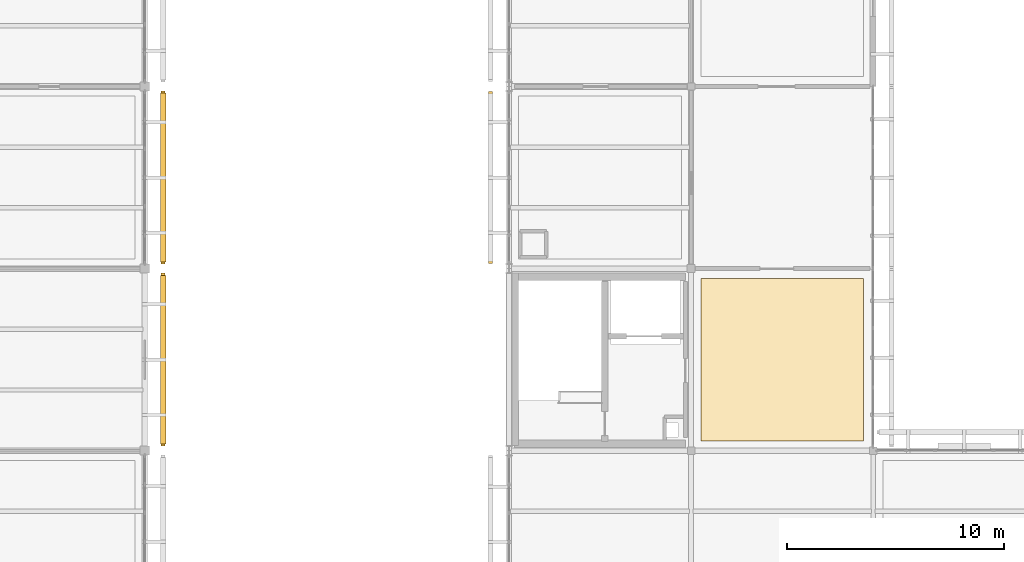
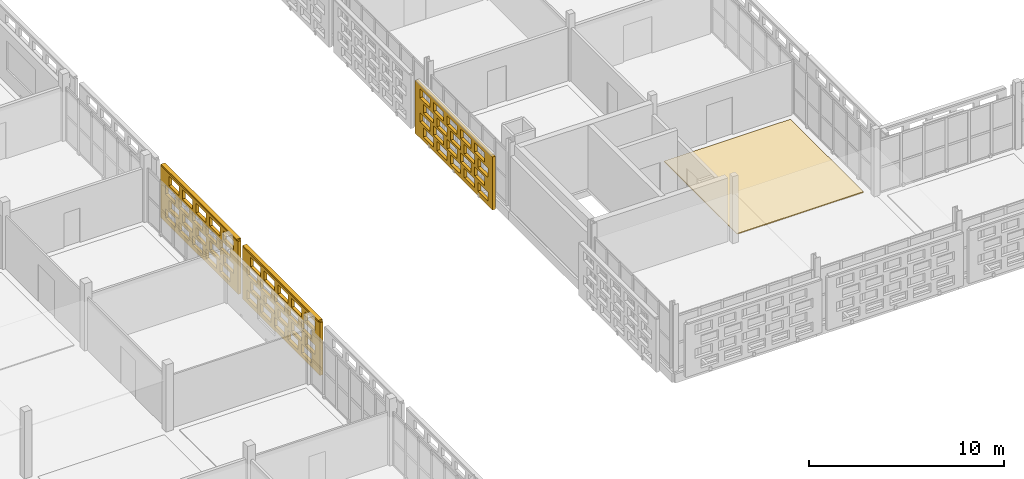
# One storey, part 115 of 140: 4 coverings, 2 shading devices, 60 openings.
"""IFC4 building model written with IfcOpenShell, lengths in metres."""

from ifc_helpers import new_model, si_unit, direction, frame, frame_2d, origin, origin_2d, place, context, subcontext, project, spatial, rectangle, extrude, material, layer, layer_set, type_object, element, save


model = new_model("IFC4")

# Units and contexts
model_context = context("Model", 3, precision=1e-05, world=origin(), true_north=direction((0.0, 1.0)))
body_context = subcontext(model_context, "Body", "Model", "MODEL_VIEW")
ifc_project = project(units=[si_unit("LENGTHUNIT", "METRE"), si_unit("AREAUNIT", "SQUARE_METRE"), si_unit("VOLUMEUNIT", "CUBIC_METRE"), si_unit("PLANEANGLEUNIT", "RADIAN"), si_unit("MASSUNIT", "GRAM", prefix="KILO")], contexts=[model_context])

# Site, building, storey
site_placement = place(None, origin())
site = spatial("IfcSite", under=ifc_project, at=site_placement, CompositionType="ELEMENT")
building_placement = place(site_placement, origin())
building = spatial("IfcBuilding", under=site, at=building_placement, Name="Varnapada Polytechnic", CompositionType="ELEMENT")
storey_placement = place(building_placement, frame((0.0, 0.0, 13.800048828125)))
storey = spatial("IfcBuildingStorey", under=building, at=storey_placement, Name="L03", CompositionType="ELEMENT", Elevation=13.800048828125)

# Covering
ifc_material_1 = material(Name="End-Grain Timber Studio Block Flooring", Category="wood")
ifc_layer_1 = layer(ifc_material_1, 0.054931640625)
ifc_layer_set_1 = layer_set([ifc_layer_1], Name="End-Grain Timber Studio Block Flooring")
covering_type_1 = type_object("IfcCoveringType", Name="Floor Finish FLR-04", PredefinedType="FLOORING", material=ifc_layer_set_1)
covering_1_placement = place(storey_placement, frame((63.0, 96.60009765625, 0.0), z_axis=(0.0, 0.0, 1.0), x_axis=(1.0, 0.0, 0.0)))
element("IfcCovering", 1, at=covering_1_placement, inside=storey, type_object=covering_type_1, Name="L03 floor finish panel (8,12)", PredefinedType="FLOORING", context=body_context, shape_type="SweptSolid", body=[
    extrude(rectangle(XDim=7.5, YDim=7.5, at=origin_2d()), origin(), (0.0, 0.0, 1.0), 0.054931640625),
])

# Covering, openings
ifc_material_2 = material(Name="Earth-toned architectural terracotta screen block", Category="masonry")
ifc_layer_2 = layer(ifc_material_2, 0.1201171875)
ifc_layer_set_2 = layer_set([ifc_layer_2], Name="Earth-toned architectural terracotta screen block")
covering_type_2 = type_object("IfcCoveringType", Name="Terracotta Screen Cladding CLD-01", PredefinedType="CLADDING", material=ifc_layer_set_2)
covering_2_placement = place(storey_placement, frame((34.449951171875, 100.590087890625, 0.0), z_axis=(0.0, 0.0, 1.0), x_axis=(0.0, -1.0, 0.0)))
covering_2 = element("IfcCovering", 2, at=covering_2_placement, inside=storey, type_object=covering_type_2, Name="L03 perforated terracotta block screen (28)", PredefinedType="CLADDING", context=body_context, shape_type="SweptSolid", body=[
    extrude(rectangle(XDim=7.97998046875, YDim=0.179931640625, at=frame_2d((3.989990234375, 0.0))), origin(), (0.0, 0.0, 1.0), 3.320068359375),
])
opening_1_placement = place(covering_2_placement, frame((0.489990234375, 0.0, 0.265625)))
element("IfcOpeningElement", 3, at=opening_1_placement, cuts=covering_2, Name="Screen perforation TBS-L03-027.1", PredefinedType="OPENING", context=body_context, shape_type="SweptSolid", body=[
    extrude(rectangle(XDim=1.0400390625, YDim=0.5810546875, at=frame_2d((0.52001953125, 0.29052734375))), frame((0.0, 0.099853515625, 0.0), z_axis=(0.0, -1.0, 0.0), x_axis=(1.0, 0.0, 0.0)), (0.0, 0.0, 1.0), 0.199951171875),
])
opening_2_placement = place(covering_2_placement, frame((1.889892578125, 0.0, 0.265625)))
element("IfcOpeningElement", 4, at=opening_2_placement, cuts=covering_2, Name="Screen perforation TBS-L03-027.2", PredefinedType="OPENING", context=body_context, shape_type="SweptSolid", body=[
    extrude(rectangle(XDim=1.0400390625, YDim=0.5810546875, at=frame_2d((0.52001953125, 0.29052734375))), frame((0.0, 0.099853515625, 0.0), z_axis=(0.0, -1.0, 0.0), x_axis=(1.0, 0.0, 0.0)), (0.0, 0.0, 1.0), 0.199951171875),
])
opening_3_placement = place(covering_2_placement, frame((3.2900390625, 0.0, 0.265625)))
element("IfcOpeningElement", 5, at=opening_3_placement, cuts=covering_2, Name="Screen perforation TBS-L03-027.3", PredefinedType="OPENING", context=body_context, shape_type="SweptSolid", body=[
    extrude(rectangle(XDim=1.0400390625, YDim=0.5810546875, at=frame_2d((0.52001953125, 0.29052734375))), frame((0.0, 0.099853515625, 0.0), z_axis=(0.0, -1.0, 0.0), x_axis=(1.0, 0.0, 0.0)), (0.0, 0.0, 1.0), 0.199951171875),
])
opening_4_placement = place(covering_2_placement, frame((4.68994140625, 0.0, 0.265625)))
element("IfcOpeningElement", 6, at=opening_4_placement, cuts=covering_2, Name="Screen perforation TBS-L03-027.4", PredefinedType="OPENING", context=body_context, shape_type="SweptSolid", body=[
    extrude(rectangle(XDim=1.0400390625, YDim=0.5810546875, at=frame_2d((0.52001953125, 0.29052734375))), frame((0.0, 0.099853515625, 0.0), z_axis=(0.0, -1.0, 0.0), x_axis=(1.0, 0.0, 0.0)), (0.0, 0.0, 1.0), 0.199951171875),
])
opening_5_placement = place(covering_2_placement, frame((6.090087890625, 0.0, 0.265625)))
element("IfcOpeningElement", 7, at=opening_5_placement, cuts=covering_2, Name="Screen perforation TBS-L03-027.5", PredefinedType="OPENING", context=body_context, shape_type="SweptSolid", body=[
    extrude(rectangle(XDim=1.0400390625, YDim=0.5810546875, at=frame_2d((0.52001953125, 0.29052734375))), frame((0.0, 0.099853515625, 0.0), z_axis=(0.0, -1.0, 0.0), x_axis=(1.0, 0.0, 0.0)), (0.0, 0.0, 1.0), 0.199951171875),
])
opening_6_placement = place(covering_2_placement, frame((0.85009765625, 0.0, 1.0126953125)))
element("IfcOpeningElement", 8, at=opening_6_placement, cuts=covering_2, Name="Screen perforation TBS-L03-027.6", PredefinedType="OPENING", context=body_context, shape_type="SweptSolid", body=[
    extrude(rectangle(XDim=1.0400390625, YDim=0.5810546875, at=frame_2d((0.52001953125, 0.29052734375))), frame((0.0, 0.099853515625, 0.0), z_axis=(0.0, -1.0, 0.0), x_axis=(1.0, 0.0, 0.0)), (0.0, 0.0, 1.0), 0.199951171875),
])
opening_7_placement = place(covering_2_placement, frame((2.25, 0.0, 1.0126953125)))
element("IfcOpeningElement", 9, at=opening_7_placement, cuts=covering_2, Name="Screen perforation TBS-L03-027.7", PredefinedType="OPENING", context=body_context, shape_type="SweptSolid", body=[
    extrude(rectangle(XDim=1.0400390625, YDim=0.5810546875, at=frame_2d((0.52001953125, 0.29052734375))), frame((0.0, 0.099853515625, 0.0), z_axis=(0.0, -1.0, 0.0), x_axis=(1.0, 0.0, 0.0)), (0.0, 0.0, 1.0), 0.199951171875),
])
opening_8_placement = place(covering_2_placement, frame((3.64990234375, 0.0, 1.0126953125)))
element("IfcOpeningElement", 10, at=opening_8_placement, cuts=covering_2, Name="Screen perforation TBS-L03-027.8", PredefinedType="OPENING", context=body_context, shape_type="SweptSolid", body=[
    extrude(rectangle(XDim=1.0400390625, YDim=0.5810546875, at=frame_2d((0.52001953125, 0.29052734375))), frame((0.0, 0.099853515625, 0.0), z_axis=(0.0, -1.0, 0.0), x_axis=(1.0, 0.0, 0.0)), (0.0, 0.0, 1.0), 0.199951171875),
])
opening_9_placement = place(covering_2_placement, frame((5.050048828125, 0.0, 1.0126953125)))
element("IfcOpeningElement", 11, at=opening_9_placement, cuts=covering_2, Name="Screen perforation TBS-L03-027.9", PredefinedType="OPENING", context=body_context, shape_type="SweptSolid", body=[
    extrude(rectangle(XDim=1.0400390625, YDim=0.5810546875, at=frame_2d((0.52001953125, 0.29052734375))), frame((0.0, 0.099853515625, 0.0), z_axis=(0.0, -1.0, 0.0), x_axis=(1.0, 0.0, 0.0)), (0.0, 0.0, 1.0), 0.199951171875),
])
opening_10_placement = place(covering_2_placement, frame((6.449951171875, 0.0, 1.0126953125)))
element("IfcOpeningElement", 12, at=opening_10_placement, cuts=covering_2, Name="Screen perforation TBS-L03-027.10", PredefinedType="OPENING", context=body_context, shape_type="SweptSolid", body=[
    extrude(rectangle(XDim=1.0400390625, YDim=0.5810546875, at=frame_2d((0.52001953125, 0.29052734375))), frame((0.0, 0.099853515625, 0.0), z_axis=(0.0, -1.0, 0.0), x_axis=(1.0, 0.0, 0.0)), (0.0, 0.0, 1.0), 0.199951171875),
])
opening_11_placement = place(covering_2_placement, frame((0.489990234375, 0.0, 1.759521484375)))
element("IfcOpeningElement", 13, at=opening_11_placement, cuts=covering_2, Name="Screen perforation TBS-L03-027.11", PredefinedType="OPENING", context=body_context, shape_type="SweptSolid", body=[
    extrude(rectangle(XDim=1.0400390625, YDim=0.5810546875, at=frame_2d((0.52001953125, 0.29052734375))), frame((0.0, 0.099853515625, 0.0), z_axis=(0.0, -1.0, 0.0), x_axis=(1.0, 0.0, 0.0)), (0.0, 0.0, 1.0), 0.199951171875),
])
opening_12_placement = place(covering_2_placement, frame((1.889892578125, 0.0, 1.759521484375)))
element("IfcOpeningElement", 14, at=opening_12_placement, cuts=covering_2, Name="Screen perforation TBS-L03-027.12", PredefinedType="OPENING", context=body_context, shape_type="SweptSolid", body=[
    extrude(rectangle(XDim=1.0400390625, YDim=0.5810546875, at=frame_2d((0.52001953125, 0.29052734375))), frame((0.0, 0.099853515625, 0.0), z_axis=(0.0, -1.0, 0.0), x_axis=(1.0, 0.0, 0.0)), (0.0, 0.0, 1.0), 0.199951171875),
])
opening_13_placement = place(covering_2_placement, frame((3.2900390625, 0.0, 1.759521484375)))
element("IfcOpeningElement", 15, at=opening_13_placement, cuts=covering_2, Name="Screen perforation TBS-L03-027.13", PredefinedType="OPENING", context=body_context, shape_type="SweptSolid", body=[
    extrude(rectangle(XDim=1.0400390625, YDim=0.5810546875, at=frame_2d((0.52001953125, 0.29052734375))), frame((0.0, 0.099853515625, 0.0), z_axis=(0.0, -1.0, 0.0), x_axis=(1.0, 0.0, 0.0)), (0.0, 0.0, 1.0), 0.199951171875),
])
opening_14_placement = place(covering_2_placement, frame((4.68994140625, 0.0, 1.759521484375)))
element("IfcOpeningElement", 16, at=opening_14_placement, cuts=covering_2, Name="Screen perforation TBS-L03-027.14", PredefinedType="OPENING", context=body_context, shape_type="SweptSolid", body=[
    extrude(rectangle(XDim=1.0400390625, YDim=0.5810546875, at=frame_2d((0.52001953125, 0.29052734375))), frame((0.0, 0.099853515625, 0.0), z_axis=(0.0, -1.0, 0.0), x_axis=(1.0, 0.0, 0.0)), (0.0, 0.0, 1.0), 0.199951171875),
])
opening_15_placement = place(covering_2_placement, frame((6.090087890625, 0.0, 1.759521484375)))
element("IfcOpeningElement", 17, at=opening_15_placement, cuts=covering_2, Name="Screen perforation TBS-L03-027.15", PredefinedType="OPENING", context=body_context, shape_type="SweptSolid", body=[
    extrude(rectangle(XDim=1.0400390625, YDim=0.5810546875, at=frame_2d((0.52001953125, 0.29052734375))), frame((0.0, 0.099853515625, 0.0), z_axis=(0.0, -1.0, 0.0), x_axis=(1.0, 0.0, 0.0)), (0.0, 0.0, 1.0), 0.199951171875),
])
opening_16_placement = place(covering_2_placement, frame((0.85009765625, 0.0, 2.506591796875)))
element("IfcOpeningElement", 18, at=opening_16_placement, cuts=covering_2, Name="Screen perforation TBS-L03-027.16", PredefinedType="OPENING", context=body_context, shape_type="SweptSolid", body=[
    extrude(rectangle(XDim=1.0400390625, YDim=0.5810546875, at=frame_2d((0.52001953125, 0.29052734375))), frame((0.0, 0.099853515625, 0.0), z_axis=(0.0, -1.0, 0.0), x_axis=(1.0, 0.0, 0.0)), (0.0, 0.0, 1.0), 0.199951171875),
])
opening_17_placement = place(covering_2_placement, frame((2.25, 0.0, 2.506591796875)))
element("IfcOpeningElement", 19, at=opening_17_placement, cuts=covering_2, Name="Screen perforation TBS-L03-027.17", PredefinedType="OPENING", context=body_context, shape_type="SweptSolid", body=[
    extrude(rectangle(XDim=1.0400390625, YDim=0.5810546875, at=frame_2d((0.52001953125, 0.29052734375))), frame((0.0, 0.099853515625, 0.0), z_axis=(0.0, -1.0, 0.0), x_axis=(1.0, 0.0, 0.0)), (0.0, 0.0, 1.0), 0.199951171875),
])
opening_18_placement = place(covering_2_placement, frame((3.64990234375, 0.0, 2.506591796875)))
element("IfcOpeningElement", 20, at=opening_18_placement, cuts=covering_2, Name="Screen perforation TBS-L03-027.18", PredefinedType="OPENING", context=body_context, shape_type="SweptSolid", body=[
    extrude(rectangle(XDim=1.0400390625, YDim=0.5810546875, at=frame_2d((0.52001953125, 0.29052734375))), frame((0.0, 0.099853515625, 0.0), z_axis=(0.0, -1.0, 0.0), x_axis=(1.0, 0.0, 0.0)), (0.0, 0.0, 1.0), 0.199951171875),
])
opening_19_placement = place(covering_2_placement, frame((5.050048828125, 0.0, 2.506591796875)))
element("IfcOpeningElement", 21, at=opening_19_placement, cuts=covering_2, Name="Screen perforation TBS-L03-027.19", PredefinedType="OPENING", context=body_context, shape_type="SweptSolid", body=[
    extrude(rectangle(XDim=1.0400390625, YDim=0.5810546875, at=frame_2d((0.52001953125, 0.29052734375))), frame((0.0, 0.099853515625, 0.0), z_axis=(0.0, -1.0, 0.0), x_axis=(1.0, 0.0, 0.0)), (0.0, 0.0, 1.0), 0.199951171875),
])
opening_20_placement = place(covering_2_placement, frame((6.449951171875, 0.0, 2.506591796875)))
element("IfcOpeningElement", 22, at=opening_20_placement, cuts=covering_2, Name="Screen perforation TBS-L03-027.20", PredefinedType="OPENING", context=body_context, shape_type="SweptSolid", body=[
    extrude(rectangle(XDim=1.0400390625, YDim=0.5810546875, at=frame_2d((0.52001953125, 0.29052734375))), frame((0.0, 0.099853515625, 0.0), z_axis=(0.0, -1.0, 0.0), x_axis=(1.0, 0.0, 0.0)), (0.0, 0.0, 1.0), 0.199951171875),
])

covering_3_placement = place(storey_placement, frame((34.449951171875, 108.989990234375, 0.0), z_axis=(0.0, 0.0, 1.0), x_axis=(0.0, -1.0, 0.0)))
covering_3 = element("IfcCovering", 23, at=covering_3_placement, inside=storey, type_object=covering_type_2, Name="L03 perforated terracotta block screen (29)", PredefinedType="CLADDING", context=body_context, shape_type="SweptSolid", body=[
    extrude(rectangle(XDim=7.97998046875, YDim=0.179931640625, at=frame_2d((3.989990234375, 0.0))), origin(), (0.0, 0.0, 1.0), 3.320068359375),
])
opening_21_placement = place(covering_3_placement, frame((0.489990234375, 0.0, 0.265625)))
element("IfcOpeningElement", 24, at=opening_21_placement, cuts=covering_3, Name="Screen perforation TBS-L03-028.1", PredefinedType="OPENING", context=body_context, shape_type="SweptSolid", body=[
    extrude(rectangle(XDim=1.0400390625, YDim=0.5810546875, at=frame_2d((0.52001953125, 0.29052734375))), frame((0.0, 0.099853515625, 0.0), z_axis=(0.0, -1.0, 0.0), x_axis=(1.0, 0.0, 0.0)), (0.0, 0.0, 1.0), 0.199951171875),
])
opening_22_placement = place(covering_3_placement, frame((1.889892578125, 0.0, 0.265625)))
element("IfcOpeningElement", 25, at=opening_22_placement, cuts=covering_3, Name="Screen perforation TBS-L03-028.2", PredefinedType="OPENING", context=body_context, shape_type="SweptSolid", body=[
    extrude(rectangle(XDim=1.0400390625, YDim=0.5810546875, at=frame_2d((0.52001953125, 0.29052734375))), frame((0.0, 0.099853515625, 0.0), z_axis=(0.0, -1.0, 0.0), x_axis=(1.0, 0.0, 0.0)), (0.0, 0.0, 1.0), 0.199951171875),
])
opening_23_placement = place(covering_3_placement, frame((3.2900390625, 0.0, 0.265625)))
element("IfcOpeningElement", 26, at=opening_23_placement, cuts=covering_3, Name="Screen perforation TBS-L03-028.3", PredefinedType="OPENING", context=body_context, shape_type="SweptSolid", body=[
    extrude(rectangle(XDim=1.0400390625, YDim=0.5810546875, at=frame_2d((0.52001953125, 0.29052734375))), frame((0.0, 0.099853515625, 0.0), z_axis=(0.0, -1.0, 0.0), x_axis=(1.0, 0.0, 0.0)), (0.0, 0.0, 1.0), 0.199951171875),
])
opening_24_placement = place(covering_3_placement, frame((4.68994140625, 0.0, 0.265625)))
element("IfcOpeningElement", 27, at=opening_24_placement, cuts=covering_3, Name="Screen perforation TBS-L03-028.4", PredefinedType="OPENING", context=body_context, shape_type="SweptSolid", body=[
    extrude(rectangle(XDim=1.0400390625, YDim=0.5810546875, at=frame_2d((0.52001953125, 0.29052734375))), frame((0.0, 0.099853515625, 0.0), z_axis=(0.0, -1.0, 0.0), x_axis=(1.0, 0.0, 0.0)), (0.0, 0.0, 1.0), 0.199951171875),
])
opening_25_placement = place(covering_3_placement, frame((6.090087890625, 0.0, 0.265625)))
element("IfcOpeningElement", 28, at=opening_25_placement, cuts=covering_3, Name="Screen perforation TBS-L03-028.5", PredefinedType="OPENING", context=body_context, shape_type="SweptSolid", body=[
    extrude(rectangle(XDim=1.0400390625, YDim=0.5810546875, at=frame_2d((0.52001953125, 0.29052734375))), frame((0.0, 0.099853515625, 0.0), z_axis=(0.0, -1.0, 0.0), x_axis=(1.0, 0.0, 0.0)), (0.0, 0.0, 1.0), 0.199951171875),
])
opening_26_placement = place(covering_3_placement, frame((0.85009765625, 0.0, 1.0126953125)))
element("IfcOpeningElement", 29, at=opening_26_placement, cuts=covering_3, Name="Screen perforation TBS-L03-028.6", PredefinedType="OPENING", context=body_context, shape_type="SweptSolid", body=[
    extrude(rectangle(XDim=1.0400390625, YDim=0.5810546875, at=frame_2d((0.52001953125, 0.29052734375))), frame((0.0, 0.099853515625, 0.0), z_axis=(0.0, -1.0, 0.0), x_axis=(1.0, 0.0, 0.0)), (0.0, 0.0, 1.0), 0.199951171875),
])
opening_27_placement = place(covering_3_placement, frame((2.25, 0.0, 1.0126953125)))
element("IfcOpeningElement", 30, at=opening_27_placement, cuts=covering_3, Name="Screen perforation TBS-L03-028.7", PredefinedType="OPENING", context=body_context, shape_type="SweptSolid", body=[
    extrude(rectangle(XDim=1.0400390625, YDim=0.5810546875, at=frame_2d((0.52001953125, 0.29052734375))), frame((0.0, 0.099853515625, 0.0), z_axis=(0.0, -1.0, 0.0), x_axis=(1.0, 0.0, 0.0)), (0.0, 0.0, 1.0), 0.199951171875),
])
opening_28_placement = place(covering_3_placement, frame((3.64990234375, 0.0, 1.0126953125)))
element("IfcOpeningElement", 31, at=opening_28_placement, cuts=covering_3, Name="Screen perforation TBS-L03-028.8", PredefinedType="OPENING", context=body_context, shape_type="SweptSolid", body=[
    extrude(rectangle(XDim=1.0400390625, YDim=0.5810546875, at=frame_2d((0.52001953125, 0.29052734375))), frame((0.0, 0.099853515625, 0.0), z_axis=(0.0, -1.0, 0.0), x_axis=(1.0, 0.0, 0.0)), (0.0, 0.0, 1.0), 0.199951171875),
])
opening_29_placement = place(covering_3_placement, frame((5.050048828125, 0.0, 1.0126953125)))
element("IfcOpeningElement", 32, at=opening_29_placement, cuts=covering_3, Name="Screen perforation TBS-L03-028.9", PredefinedType="OPENING", context=body_context, shape_type="SweptSolid", body=[
    extrude(rectangle(XDim=1.0400390625, YDim=0.5810546875, at=frame_2d((0.52001953125, 0.29052734375))), frame((0.0, 0.099853515625, 0.0), z_axis=(0.0, -1.0, 0.0), x_axis=(1.0, 0.0, 0.0)), (0.0, 0.0, 1.0), 0.199951171875),
])
opening_30_placement = place(covering_3_placement, frame((6.449951171875, 0.0, 1.0126953125)))
element("IfcOpeningElement", 33, at=opening_30_placement, cuts=covering_3, Name="Screen perforation TBS-L03-028.10", PredefinedType="OPENING", context=body_context, shape_type="SweptSolid", body=[
    extrude(rectangle(XDim=1.0400390625, YDim=0.5810546875, at=frame_2d((0.52001953125, 0.29052734375))), frame((0.0, 0.099853515625, 0.0), z_axis=(0.0, -1.0, 0.0), x_axis=(1.0, 0.0, 0.0)), (0.0, 0.0, 1.0), 0.199951171875),
])
opening_31_placement = place(covering_3_placement, frame((0.489990234375, 0.0, 1.759521484375)))
element("IfcOpeningElement", 34, at=opening_31_placement, cuts=covering_3, Name="Screen perforation TBS-L03-028.11", PredefinedType="OPENING", context=body_context, shape_type="SweptSolid", body=[
    extrude(rectangle(XDim=1.0400390625, YDim=0.5810546875, at=frame_2d((0.52001953125, 0.29052734375))), frame((0.0, 0.099853515625, 0.0), z_axis=(0.0, -1.0, 0.0), x_axis=(1.0, 0.0, 0.0)), (0.0, 0.0, 1.0), 0.199951171875),
])
opening_32_placement = place(covering_3_placement, frame((1.889892578125, 0.0, 1.759521484375)))
element("IfcOpeningElement", 35, at=opening_32_placement, cuts=covering_3, Name="Screen perforation TBS-L03-028.12", PredefinedType="OPENING", context=body_context, shape_type="SweptSolid", body=[
    extrude(rectangle(XDim=1.0400390625, YDim=0.5810546875, at=frame_2d((0.52001953125, 0.29052734375))), frame((0.0, 0.099853515625, 0.0), z_axis=(0.0, -1.0, 0.0), x_axis=(1.0, 0.0, 0.0)), (0.0, 0.0, 1.0), 0.199951171875),
])
opening_33_placement = place(covering_3_placement, frame((3.2900390625, 0.0, 1.759521484375)))
element("IfcOpeningElement", 36, at=opening_33_placement, cuts=covering_3, Name="Screen perforation TBS-L03-028.13", PredefinedType="OPENING", context=body_context, shape_type="SweptSolid", body=[
    extrude(rectangle(XDim=1.0400390625, YDim=0.5810546875, at=frame_2d((0.52001953125, 0.29052734375))), frame((0.0, 0.099853515625, 0.0), z_axis=(0.0, -1.0, 0.0), x_axis=(1.0, 0.0, 0.0)), (0.0, 0.0, 1.0), 0.199951171875),
])
opening_34_placement = place(covering_3_placement, frame((4.68994140625, 0.0, 1.759521484375)))
element("IfcOpeningElement", 37, at=opening_34_placement, cuts=covering_3, Name="Screen perforation TBS-L03-028.14", PredefinedType="OPENING", context=body_context, shape_type="SweptSolid", body=[
    extrude(rectangle(XDim=1.0400390625, YDim=0.5810546875, at=frame_2d((0.52001953125, 0.29052734375))), frame((0.0, 0.099853515625, 0.0), z_axis=(0.0, -1.0, 0.0), x_axis=(1.0, 0.0, 0.0)), (0.0, 0.0, 1.0), 0.199951171875),
])
opening_35_placement = place(covering_3_placement, frame((6.090087890625, 0.0, 1.759521484375)))
element("IfcOpeningElement", 38, at=opening_35_placement, cuts=covering_3, Name="Screen perforation TBS-L03-028.15", PredefinedType="OPENING", context=body_context, shape_type="SweptSolid", body=[
    extrude(rectangle(XDim=1.0400390625, YDim=0.5810546875, at=frame_2d((0.52001953125, 0.29052734375))), frame((0.0, 0.099853515625, 0.0), z_axis=(0.0, -1.0, 0.0), x_axis=(1.0, 0.0, 0.0)), (0.0, 0.0, 1.0), 0.199951171875),
])
opening_36_placement = place(covering_3_placement, frame((0.85009765625, 0.0, 2.506591796875)))
element("IfcOpeningElement", 39, at=opening_36_placement, cuts=covering_3, Name="Screen perforation TBS-L03-028.16", PredefinedType="OPENING", context=body_context, shape_type="SweptSolid", body=[
    extrude(rectangle(XDim=1.0400390625, YDim=0.5810546875, at=frame_2d((0.52001953125, 0.29052734375))), frame((0.0, 0.099853515625, 0.0), z_axis=(0.0, -1.0, 0.0), x_axis=(1.0, 0.0, 0.0)), (0.0, 0.0, 1.0), 0.199951171875),
])
opening_37_placement = place(covering_3_placement, frame((2.25, 0.0, 2.506591796875)))
element("IfcOpeningElement", 40, at=opening_37_placement, cuts=covering_3, Name="Screen perforation TBS-L03-028.17", PredefinedType="OPENING", context=body_context, shape_type="SweptSolid", body=[
    extrude(rectangle(XDim=1.0400390625, YDim=0.5810546875, at=frame_2d((0.52001953125, 0.29052734375))), frame((0.0, 0.099853515625, 0.0), z_axis=(0.0, -1.0, 0.0), x_axis=(1.0, 0.0, 0.0)), (0.0, 0.0, 1.0), 0.199951171875),
])
opening_38_placement = place(covering_3_placement, frame((3.64990234375, 0.0, 2.506591796875)))
element("IfcOpeningElement", 41, at=opening_38_placement, cuts=covering_3, Name="Screen perforation TBS-L03-028.18", PredefinedType="OPENING", context=body_context, shape_type="SweptSolid", body=[
    extrude(rectangle(XDim=1.0400390625, YDim=0.5810546875, at=frame_2d((0.52001953125, 0.29052734375))), frame((0.0, 0.099853515625, 0.0), z_axis=(0.0, -1.0, 0.0), x_axis=(1.0, 0.0, 0.0)), (0.0, 0.0, 1.0), 0.199951171875),
])
opening_39_placement = place(covering_3_placement, frame((5.050048828125, 0.0, 2.506591796875)))
element("IfcOpeningElement", 42, at=opening_39_placement, cuts=covering_3, Name="Screen perforation TBS-L03-028.19", PredefinedType="OPENING", context=body_context, shape_type="SweptSolid", body=[
    extrude(rectangle(XDim=1.0400390625, YDim=0.5810546875, at=frame_2d((0.52001953125, 0.29052734375))), frame((0.0, 0.099853515625, 0.0), z_axis=(0.0, -1.0, 0.0), x_axis=(1.0, 0.0, 0.0)), (0.0, 0.0, 1.0), 0.199951171875),
])
opening_40_placement = place(covering_3_placement, frame((6.449951171875, 0.0, 2.506591796875)))
element("IfcOpeningElement", 43, at=opening_40_placement, cuts=covering_3, Name="Screen perforation TBS-L03-028.20", PredefinedType="OPENING", context=body_context, shape_type="SweptSolid", body=[
    extrude(rectangle(XDim=1.0400390625, YDim=0.5810546875, at=frame_2d((0.52001953125, 0.29052734375))), frame((0.0, 0.099853515625, 0.0), z_axis=(0.0, -1.0, 0.0), x_axis=(1.0, 0.0, 0.0)), (0.0, 0.0, 1.0), 0.199951171875),
])

covering_4_placement = place(storey_placement, frame((49.550048828125, 101.02490234375, 0.0), z_axis=(0.0, 0.0, 1.0), x_axis=(0.0, 1.0, 0.0)))
covering_4 = element("IfcCovering", 44, at=covering_4_placement, inside=storey, type_object=covering_type_2, Name="L03 perforated terracotta block screen (44)", PredefinedType="CLADDING", context=body_context, shape_type="SweptSolid", body=[
    extrude(rectangle(XDim=7.9501953125, YDim=0.179931640625, at=frame_2d((3.97509765625, 0.0))), origin(), (0.0, 0.0, 1.0), 3.320068359375),
])
opening_41_placement = place(covering_4_placement, frame((0.47509765625, 0.0, 0.265625)))
element("IfcOpeningElement", 45, at=opening_41_placement, cuts=covering_4, Name="Screen perforation TBS-L03-043.1", PredefinedType="OPENING", context=body_context, shape_type="SweptSolid", body=[
    extrude(rectangle(XDim=1.0400390625, YDim=0.5810546875, at=frame_2d((0.52001953125, 0.29052734375))), frame((0.0, 0.099853515625, 0.0), z_axis=(0.0, -1.0, 0.0), x_axis=(1.0, 0.0, 0.0)), (0.0, 0.0, 1.0), 0.199951171875),
])
opening_42_placement = place(covering_4_placement, frame((1.875, 0.0, 0.265625)))
element("IfcOpeningElement", 46, at=opening_42_placement, cuts=covering_4, Name="Screen perforation TBS-L03-043.2", PredefinedType="OPENING", context=body_context, shape_type="SweptSolid", body=[
    extrude(rectangle(XDim=1.0400390625, YDim=0.5810546875, at=frame_2d((0.52001953125, 0.29052734375))), frame((0.0, 0.099853515625, 0.0), z_axis=(0.0, -1.0, 0.0), x_axis=(1.0, 0.0, 0.0)), (0.0, 0.0, 1.0), 0.199951171875),
])
opening_43_placement = place(covering_4_placement, frame((3.27490234375, 0.0, 0.265625)))
element("IfcOpeningElement", 47, at=opening_43_placement, cuts=covering_4, Name="Screen perforation TBS-L03-043.3", PredefinedType="OPENING", context=body_context, shape_type="SweptSolid", body=[
    extrude(rectangle(XDim=1.0400390625, YDim=0.5810546875, at=frame_2d((0.52001953125, 0.29052734375))), frame((0.0, 0.099853515625, 0.0), z_axis=(0.0, -1.0, 0.0), x_axis=(1.0, 0.0, 0.0)), (0.0, 0.0, 1.0), 0.199951171875),
])
opening_44_placement = place(covering_4_placement, frame((4.675048828125, 0.0, 0.265625)))
element("IfcOpeningElement", 48, at=opening_44_placement, cuts=covering_4, Name="Screen perforation TBS-L03-043.4", PredefinedType="OPENING", context=body_context, shape_type="SweptSolid", body=[
    extrude(rectangle(XDim=1.0400390625, YDim=0.5810546875, at=frame_2d((0.52001953125, 0.29052734375))), frame((0.0, 0.099853515625, 0.0), z_axis=(0.0, -1.0, 0.0), x_axis=(1.0, 0.0, 0.0)), (0.0, 0.0, 1.0), 0.199951171875),
])
opening_45_placement = place(covering_4_placement, frame((6.074951171875, 0.0, 0.265625)))
element("IfcOpeningElement", 49, at=opening_45_placement, cuts=covering_4, Name="Screen perforation TBS-L03-043.5", PredefinedType="OPENING", context=body_context, shape_type="SweptSolid", body=[
    extrude(rectangle(XDim=1.0400390625, YDim=0.5810546875, at=frame_2d((0.52001953125, 0.29052734375))), frame((0.0, 0.099853515625, 0.0), z_axis=(0.0, -1.0, 0.0), x_axis=(1.0, 0.0, 0.0)), (0.0, 0.0, 1.0), 0.199951171875),
])
opening_46_placement = place(covering_4_placement, frame((0.8349609375, 0.0, 1.0126953125)))
element("IfcOpeningElement", 50, at=opening_46_placement, cuts=covering_4, Name="Screen perforation TBS-L03-043.6", PredefinedType="OPENING", context=body_context, shape_type="SweptSolid", body=[
    extrude(rectangle(XDim=1.0400390625, YDim=0.5810546875, at=frame_2d((0.52001953125, 0.29052734375))), frame((0.0, 0.099853515625, 0.0), z_axis=(0.0, -1.0, 0.0), x_axis=(1.0, 0.0, 0.0)), (0.0, 0.0, 1.0), 0.199951171875),
])
opening_47_placement = place(covering_4_placement, frame((2.235107421875, 0.0, 1.0126953125)))
element("IfcOpeningElement", 51, at=opening_47_placement, cuts=covering_4, Name="Screen perforation TBS-L03-043.7", PredefinedType="OPENING", context=body_context, shape_type="SweptSolid", body=[
    extrude(rectangle(XDim=1.0400390625, YDim=0.5810546875, at=frame_2d((0.52001953125, 0.29052734375))), frame((0.0, 0.099853515625, 0.0), z_axis=(0.0, -1.0, 0.0), x_axis=(1.0, 0.0, 0.0)), (0.0, 0.0, 1.0), 0.199951171875),
])
opening_48_placement = place(covering_4_placement, frame((3.635009765625, 0.0, 1.0126953125)))
element("IfcOpeningElement", 52, at=opening_48_placement, cuts=covering_4, Name="Screen perforation TBS-L03-043.8", PredefinedType="OPENING", context=body_context, shape_type="SweptSolid", body=[
    extrude(rectangle(XDim=1.0400390625, YDim=0.5810546875, at=frame_2d((0.52001953125, 0.29052734375))), frame((0.0, 0.099853515625, 0.0), z_axis=(0.0, -1.0, 0.0), x_axis=(1.0, 0.0, 0.0)), (0.0, 0.0, 1.0), 0.199951171875),
])
opening_49_placement = place(covering_4_placement, frame((5.034912109375, 0.0, 1.0126953125)))
element("IfcOpeningElement", 53, at=opening_49_placement, cuts=covering_4, Name="Screen perforation TBS-L03-043.9", PredefinedType="OPENING", context=body_context, shape_type="SweptSolid", body=[
    extrude(rectangle(XDim=1.0400390625, YDim=0.5810546875, at=frame_2d((0.52001953125, 0.29052734375))), frame((0.0, 0.099853515625, 0.0), z_axis=(0.0, -1.0, 0.0), x_axis=(1.0, 0.0, 0.0)), (0.0, 0.0, 1.0), 0.199951171875),
])
opening_50_placement = place(covering_4_placement, frame((6.43505859375, 0.0, 1.0126953125)))
element("IfcOpeningElement", 54, at=opening_50_placement, cuts=covering_4, Name="Screen perforation TBS-L03-043.10", PredefinedType="OPENING", context=body_context, shape_type="SweptSolid", body=[
    extrude(rectangle(XDim=1.0400390625, YDim=0.5810546875, at=frame_2d((0.52001953125, 0.29052734375))), frame((0.0, 0.099853515625, 0.0), z_axis=(0.0, -1.0, 0.0), x_axis=(1.0, 0.0, 0.0)), (0.0, 0.0, 1.0), 0.199951171875),
])
opening_51_placement = place(covering_4_placement, frame((0.47509765625, 0.0, 1.759521484375)))
element("IfcOpeningElement", 55, at=opening_51_placement, cuts=covering_4, Name="Screen perforation TBS-L03-043.11", PredefinedType="OPENING", context=body_context, shape_type="SweptSolid", body=[
    extrude(rectangle(XDim=1.0400390625, YDim=0.5810546875, at=frame_2d((0.52001953125, 0.29052734375))), frame((0.0, 0.099853515625, 0.0), z_axis=(0.0, -1.0, 0.0), x_axis=(1.0, 0.0, 0.0)), (0.0, 0.0, 1.0), 0.199951171875),
])
opening_52_placement = place(covering_4_placement, frame((1.875, 0.0, 1.759521484375)))
element("IfcOpeningElement", 56, at=opening_52_placement, cuts=covering_4, Name="Screen perforation TBS-L03-043.12", PredefinedType="OPENING", context=body_context, shape_type="SweptSolid", body=[
    extrude(rectangle(XDim=1.0400390625, YDim=0.5810546875, at=frame_2d((0.52001953125, 0.29052734375))), frame((0.0, 0.099853515625, 0.0), z_axis=(0.0, -1.0, 0.0), x_axis=(1.0, 0.0, 0.0)), (0.0, 0.0, 1.0), 0.199951171875),
])
opening_53_placement = place(covering_4_placement, frame((3.27490234375, 0.0, 1.759521484375)))
element("IfcOpeningElement", 57, at=opening_53_placement, cuts=covering_4, Name="Screen perforation TBS-L03-043.13", PredefinedType="OPENING", context=body_context, shape_type="SweptSolid", body=[
    extrude(rectangle(XDim=1.0400390625, YDim=0.5810546875, at=frame_2d((0.52001953125, 0.29052734375))), frame((0.0, 0.099853515625, 0.0), z_axis=(0.0, -1.0, 0.0), x_axis=(1.0, 0.0, 0.0)), (0.0, 0.0, 1.0), 0.199951171875),
])
opening_54_placement = place(covering_4_placement, frame((4.675048828125, 0.0, 1.759521484375)))
element("IfcOpeningElement", 58, at=opening_54_placement, cuts=covering_4, Name="Screen perforation TBS-L03-043.14", PredefinedType="OPENING", context=body_context, shape_type="SweptSolid", body=[
    extrude(rectangle(XDim=1.0400390625, YDim=0.5810546875, at=frame_2d((0.52001953125, 0.29052734375))), frame((0.0, 0.099853515625, 0.0), z_axis=(0.0, -1.0, 0.0), x_axis=(1.0, 0.0, 0.0)), (0.0, 0.0, 1.0), 0.199951171875),
])
opening_55_placement = place(covering_4_placement, frame((6.074951171875, 0.0, 1.759521484375)))
element("IfcOpeningElement", 59, at=opening_55_placement, cuts=covering_4, Name="Screen perforation TBS-L03-043.15", PredefinedType="OPENING", context=body_context, shape_type="SweptSolid", body=[
    extrude(rectangle(XDim=1.0400390625, YDim=0.5810546875, at=frame_2d((0.52001953125, 0.29052734375))), frame((0.0, 0.099853515625, 0.0), z_axis=(0.0, -1.0, 0.0), x_axis=(1.0, 0.0, 0.0)), (0.0, 0.0, 1.0), 0.199951171875),
])
opening_56_placement = place(covering_4_placement, frame((0.8349609375, 0.0, 2.506591796875)))
element("IfcOpeningElement", 60, at=opening_56_placement, cuts=covering_4, Name="Screen perforation TBS-L03-043.16", PredefinedType="OPENING", context=body_context, shape_type="SweptSolid", body=[
    extrude(rectangle(XDim=1.0400390625, YDim=0.5810546875, at=frame_2d((0.52001953125, 0.29052734375))), frame((0.0, 0.099853515625, 0.0), z_axis=(0.0, -1.0, 0.0), x_axis=(1.0, 0.0, 0.0)), (0.0, 0.0, 1.0), 0.199951171875),
])
opening_57_placement = place(covering_4_placement, frame((2.235107421875, 0.0, 2.506591796875)))
element("IfcOpeningElement", 61, at=opening_57_placement, cuts=covering_4, Name="Screen perforation TBS-L03-043.17", PredefinedType="OPENING", context=body_context, shape_type="SweptSolid", body=[
    extrude(rectangle(XDim=1.0400390625, YDim=0.5810546875, at=frame_2d((0.52001953125, 0.29052734375))), frame((0.0, 0.099853515625, 0.0), z_axis=(0.0, -1.0, 0.0), x_axis=(1.0, 0.0, 0.0)), (0.0, 0.0, 1.0), 0.199951171875),
])
opening_58_placement = place(covering_4_placement, frame((3.635009765625, 0.0, 2.506591796875)))
element("IfcOpeningElement", 62, at=opening_58_placement, cuts=covering_4, Name="Screen perforation TBS-L03-043.18", PredefinedType="OPENING", context=body_context, shape_type="SweptSolid", body=[
    extrude(rectangle(XDim=1.0400390625, YDim=0.5810546875, at=frame_2d((0.52001953125, 0.29052734375))), frame((0.0, 0.099853515625, 0.0), z_axis=(0.0, -1.0, 0.0), x_axis=(1.0, 0.0, 0.0)), (0.0, 0.0, 1.0), 0.199951171875),
])
opening_59_placement = place(covering_4_placement, frame((5.034912109375, 0.0, 2.506591796875)))
element("IfcOpeningElement", 63, at=opening_59_placement, cuts=covering_4, Name="Screen perforation TBS-L03-043.19", PredefinedType="OPENING", context=body_context, shape_type="SweptSolid", body=[
    extrude(rectangle(XDim=1.0400390625, YDim=0.5810546875, at=frame_2d((0.52001953125, 0.29052734375))), frame((0.0, 0.099853515625, 0.0), z_axis=(0.0, -1.0, 0.0), x_axis=(1.0, 0.0, 0.0)), (0.0, 0.0, 1.0), 0.199951171875),
])
opening_60_placement = place(covering_4_placement, frame((6.43505859375, 0.0, 2.506591796875)))
element("IfcOpeningElement", 64, at=opening_60_placement, cuts=covering_4, Name="Screen perforation TBS-L03-043.20", PredefinedType="OPENING", context=body_context, shape_type="SweptSolid", body=[
    extrude(rectangle(XDim=1.0400390625, YDim=0.5810546875, at=frame_2d((0.52001953125, 0.29052734375))), frame((0.0, 0.099853515625, 0.0), z_axis=(0.0, -1.0, 0.0), x_axis=(1.0, 0.0, 0.0)), (0.0, 0.0, 1.0), 0.199951171875),
])

# Shading devices
ifc_layer_3 = layer(ifc_material_2, 0.179931640625)
ifc_layer_set_3 = layer_set([ifc_layer_3], Name="Earth-toned architectural terracotta screen block")
shading_device_type = type_object("IfcShadingDeviceType", Name="Terracotta Screen SCR-01", PredefinedType="USERDEFINED", material=ifc_layer_set_3)
for number, where, z_axis, x_axis, name in (
    (65, (34.449951171875, 96.60009765625, 3.309814453125), (0.0, 0.0, 1.0), (0.0, -1.0, 0.0), "L03 perforated terracotta screen hood 363"),
    (66, (34.449951171875, 105.0, 3.309814453125), (0.0, 0.0, 1.0), (0.0, -1.0, 0.0), "L03 perforated terracotta screen hood 364"),
):
    element("IfcShadingDevice", number, at=place(storey_placement, frame(where, z_axis=z_axis, x_axis=x_axis)), inside=storey, type_object=shading_device_type, Name=name, ObjectType="SCREEN", PredefinedType="USERDEFINED", context=body_context, shape_type="SweptSolid", body=[
        extrude(rectangle(XDim=7.780029296875, YDim=0.239990234375, at=origin_2d()), origin(), (0.0, 0.0, 1.0), 0.10009765625),
    ])

save(model, "model.ifc")
